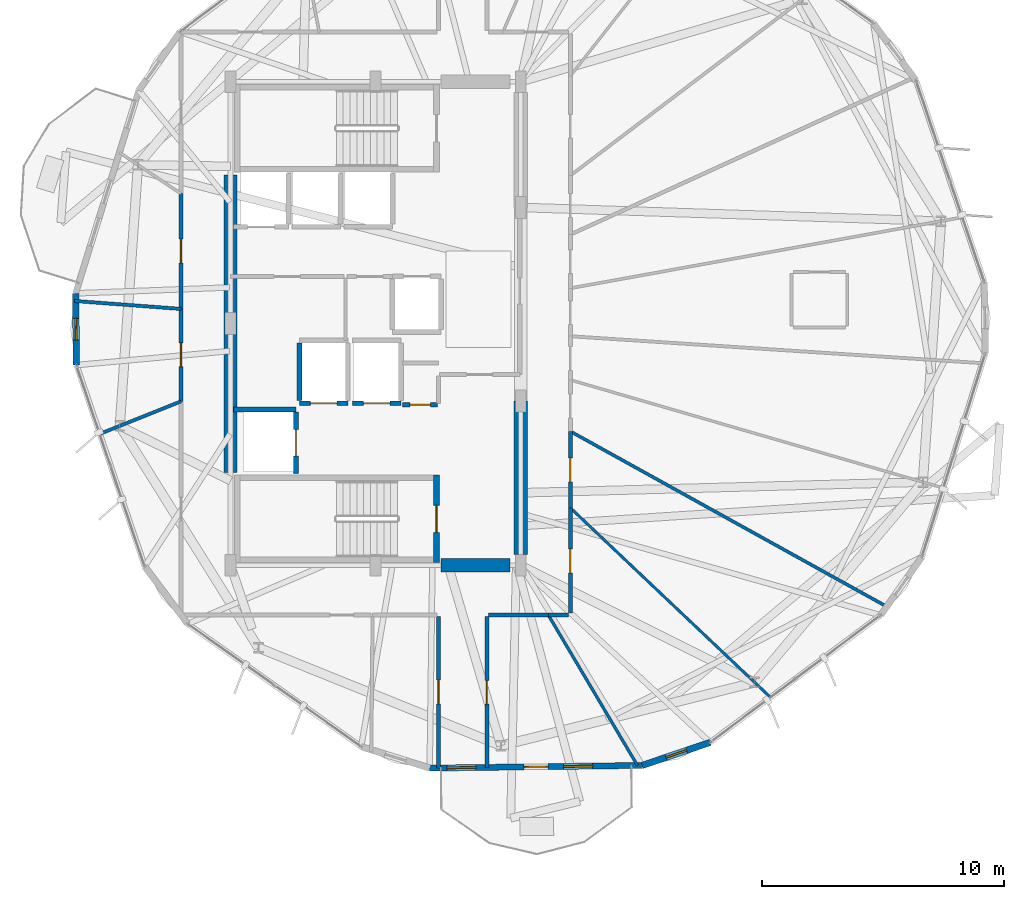
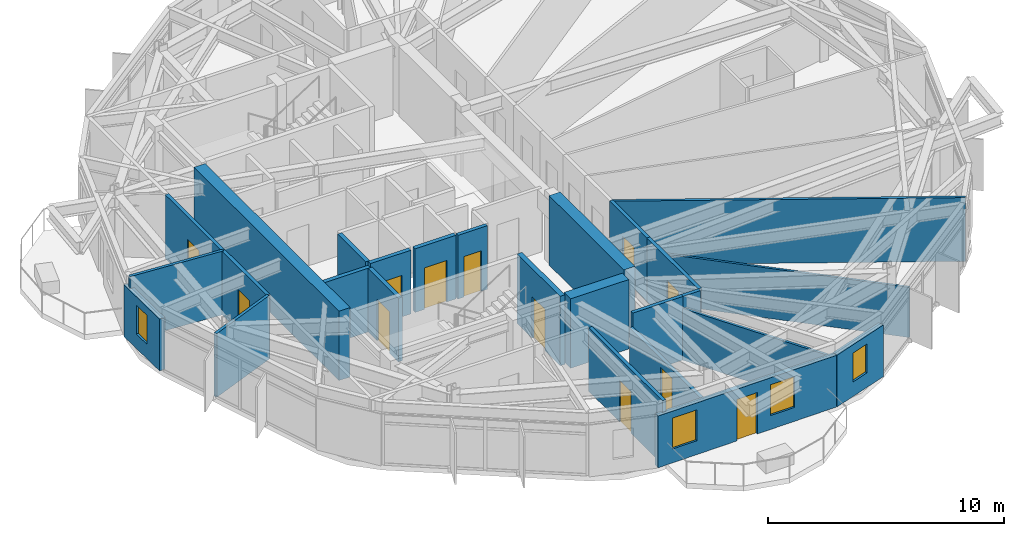
# One storey, part 21 of 27: 26 walls, 12 doors, 4 windows, 16 openings.
"""IFC4 building model written with IfcOpenShell, lengths in metres."""

from ifc_helpers import new_model, si_unit, direction, frame, frame_2d, origin, place, context, subcontext, project, spatial, rectangle, extrude, material, layer, layer_set, type_object, element, fill, save


model = new_model("IFC4")

# Units and contexts
model_context = context("Model", 3, precision=1e-05, world=origin(), true_north=direction((0.0, 1.0)))
body_context = subcontext(model_context, "Body", "Model", "MODEL_VIEW")
ifc_project = project(units=[si_unit("LENGTHUNIT", "METRE"), si_unit("AREAUNIT", "SQUARE_METRE"), si_unit("VOLUMEUNIT", "CUBIC_METRE"), si_unit("PLANEANGLEUNIT", "RADIAN"), si_unit("MASSUNIT", "GRAM", prefix="KILO")], contexts=[model_context])

# Site, building, storey
site_placement = place(None, origin())
site = spatial("IfcSite", under=ifc_project, at=site_placement, CompositionType="ELEMENT")
building_placement = place(site_placement, origin())
building = spatial("IfcBuilding", under=site, at=building_placement, Name="Soratama Intermodal Tower", CompositionType="ELEMENT")
storey_placement = place(building_placement, frame((0.0, 0.0, 167.800048828125)))
storey = spatial("IfcBuildingStorey", under=building, at=storey_placement, Name="L41", CompositionType="ELEMENT", Elevation=167.800048828125)

# Wall, openings, door, windows
ifc_material_1 = material(Name="Concrete f'c 42 MPa", Category="concrete")
ifc_layer_1 = layer(ifc_material_1, 0.25)
ifc_layer_set_1 = layer_set([ifc_layer_1], Name="Concrete f'c 42 MPa")
wall_type_1 = type_object("IfcWallType", Name="EW-BAL-250", PredefinedType="SOLIDWALL", material=ifc_layer_set_1)
wall_1_placement = place(storey_placement, frame((40.834716796875, 6.6171875, 0.0), z_axis=(0.0, 0.0, 1.0), x_axis=(0.999921223342, 0.012551777187, 0.0)))
wall_1 = element("IfcWall", 1, at=wall_1_placement, inside=storey, type_object=wall_type_1, Name="L41 Terrace Wall F07", PredefinedType="SOLIDWALL", context=body_context, shape_type="SweptSolid", body=[
    extrude(rectangle(XDim=8.791748046875, YDim=0.25, at=frame_2d((4.39599609375, 0.0))), origin(), (0.0, 0.0, 1.0), 2.678955078125),
])
opening_1_placement = place(wall_1_placement, frame((3.895751953125, 0.0, 0.0)))
opening_1 = element("IfcOpeningElement", 2, at=opening_1_placement, cuts=wall_1, Name="Opening ED-2", PredefinedType="OPENING", context=body_context, shape_type="SweptSolid", body=[
    extrude(rectangle(XDim=1.0, YDim=2.14990234375, at=frame_2d((0.5, 1.074951171875))), frame((0.0, 0.135009765625, 0.0), z_axis=(0.0, -1.0, 0.0), x_axis=(1.0, 0.0, 0.0)), (0.0, 0.0, 1.0), 0.27001953125),
])
opening_2_placement = place(wall_1_placement, frame((0.709228515625, 0.0, 0.719970703125)))
opening_2 = element("IfcOpeningElement", 3, at=opening_2_placement, cuts=wall_1, Name="Opening WN-2", PredefinedType="OPENING", context=body_context, shape_type="SweptSolid", body=[
    extrude(rectangle(XDim=1.199951171875, YDim=1.60009765625, at=frame_2d((0.60009765625, 0.800048828125))), frame((0.0, 0.135009765625, 0.0), z_axis=(0.0, -1.0, 0.0), x_axis=(1.0, 0.0, 0.0)), (0.0, 0.0, 1.0), 0.27001953125),
])
opening_3_placement = place(wall_1_placement, frame((5.535888671875, 0.0, 0.719970703125)))
opening_3 = element("IfcOpeningElement", 4, at=opening_3_placement, cuts=wall_1, Name="Opening WN-2", PredefinedType="OPENING", context=body_context, shape_type="SweptSolid", body=[
    extrude(rectangle(XDim=1.199951171875, YDim=1.60009765625, at=frame_2d((0.60009765625, 0.800048828125))), frame((0.0, 0.135009765625, 0.0), z_axis=(0.0, -1.0, 0.0), x_axis=(1.0, 0.0, 0.0)), (0.0, 0.0, 1.0), 0.27001953125),
])
ifc_material_2 = material(Name="Double-glazed aluminium door", Category="aluminium")
door_type_1 = type_object("IfcDoorType", Name="DR-BAL-1000", OperationType="NOTDEFINED", PredefinedType="DOOR", material=ifc_material_2)
door_1_placement = place(opening_1_placement, origin())
door_1 = element("IfcDoor", 5, at=door_1_placement, inside=storey, type_object=door_type_1, Name="L41 Balcony Door F07", OperationType="SINGLE_SWING_LEFT", OverallHeight=2.14990234375, OverallWidth=1.0, PredefinedType="DOOR", context=body_context, shape_type="SweptSolid", body=[
    extrude(rectangle(XDim=1.0, YDim=2.14990234375, at=frame_2d((0.5, 1.074951171875))), frame((0.0, 0.02490234375, 0.0), z_axis=(0.0, -1.0, 0.0), x_axis=(1.0, 0.0, 0.0)), (0.0, 0.0, 1.0), 0.050048828125),
])
fill(opening_1, door_1)
ifc_material_3 = material(Name="Double-glazed aluminium window", Category="aluminium")
window_type_1 = type_object("IfcWindowType", Name="WN-FAC-1200", PartitioningType="SINGLE_PANEL", PredefinedType="WINDOW", material=ifc_material_3)
window_1_placement = place(opening_2_placement, origin())
window_1 = element("IfcWindow", 6, at=window_1_placement, inside=storey, type_object=window_type_1, Name="L41 Window A F07", OverallHeight=1.60009765625, OverallWidth=1.199951171875, PartitioningType="SINGLE_PANEL", PredefinedType="WINDOW", context=body_context, shape_type="SweptSolid", body=[
    extrude(rectangle(XDim=1.199951171875, YDim=1.60009765625, at=frame_2d((0.60009765625, 0.800048828125))), frame((0.0, 0.030029296875, 0.0), z_axis=(0.0, -1.0, 0.0), x_axis=(1.0, 0.0, 0.0)), (0.0, 0.0, 1.0), 0.06005859375),
])
fill(opening_2, window_1)
window_2_placement = place(opening_3_placement, origin())
window_2 = element("IfcWindow", 7, at=window_2_placement, inside=storey, type_object=window_type_1, Name="L41 Window B F07", OverallHeight=1.60009765625, OverallWidth=1.199951171875, PartitioningType="SINGLE_PANEL", PredefinedType="WINDOW", context=body_context, shape_type="SweptSolid", body=[
    extrude(rectangle(XDim=1.199951171875, YDim=1.60009765625, at=frame_2d((0.60009765625, 0.800048828125))), frame((0.0, 0.030029296875, 0.0), z_axis=(0.0, -1.0, 0.0), x_axis=(1.0, 0.0, 0.0)), (0.0, 0.0, 1.0), 0.06005859375),
])
fill(opening_3, window_2)

# Wall, opening, window
ifc_material_4 = material(Name="Concrete f'c 42 MPa", Category="concrete")
ifc_layer_2 = layer(ifc_material_4, 0.27001953125)
ifc_layer_set_2 = layer_set([ifc_layer_2], Name="Concrete f'c 42 MPa")
wall_type_2 = type_object("IfcWallType", Name="EW-CRN-270", PredefinedType="SOLIDWALL", material=ifc_layer_set_2)
wall_2_placement = place(storey_placement, frame((26.1923828125, 26.2470703125, 0.0), z_axis=(0.0, 0.0, 1.0), x_axis=(0.012591594286, -0.999920722734, 0.0)))
wall_2 = element("IfcWall", 8, at=wall_2_placement, inside=storey, type_object=wall_type_2, Name="L41 Corner Closure Wall 04", PredefinedType="SOLIDWALL", context=body_context, shape_type="SweptSolid", body=[
    extrude(rectangle(XDim=2.966552734375, YDim=0.27001953125, at=frame_2d((1.4833984375, 0.0))), origin(), (0.0, 0.0, 1.0), 2.678955078125),
])
opening_4_placement = place(wall_2_placement, frame((1.033203125, 0.0, 0.75)))
opening_4 = element("IfcOpeningElement", 9, at=opening_4_placement, cuts=wall_2, Name="Opening WN-6", PredefinedType="OPENING", context=body_context, shape_type="SweptSolid", body=[
    extrude(rectangle(XDim=0.89990234375, YDim=1.5, at=frame_2d((0.449951171875, 0.75))), frame((0.0, 0.14501953125, 0.0), z_axis=(0.0, -1.0, 0.0), x_axis=(1.0, 0.0, 0.0)), (0.0, 0.0, 1.0), 0.2900390625),
])
ifc_material_5 = material(Name="Double-glazed aluminium window", Category="aluminium")
window_type_2 = type_object("IfcWindowType", Name="WN-FAC-900", PartitioningType="SINGLE_PANEL", PredefinedType="WINDOW", material=ifc_material_5)
window_3_placement = place(opening_4_placement, origin())
window_3 = element("IfcWindow", 10, at=window_3_placement, inside=storey, type_object=window_type_2, Name="L41 Corner Window 04", OverallHeight=1.5, OverallWidth=0.89990234375, PartitioningType="SINGLE_PANEL", PredefinedType="WINDOW", context=body_context, shape_type="SweptSolid", body=[
    extrude(rectangle(XDim=0.89990234375, YDim=1.5, at=frame_2d((0.449951171875, 0.75))), frame((0.0, 0.030029296875, 0.0), z_axis=(0.0, -1.0, 0.0), x_axis=(1.0, 0.0, 0.0)), (0.0, 0.0, 1.0), 0.06005859375),
])
fill(opening_4, window_3)

wall_3_placement = place(storey_placement, frame((49.625732421875, 6.7275390625, 0.0), z_axis=(0.0, 0.0, 1.0), x_axis=(0.947099800271, 0.320939197242, 0.0)))
wall_3 = element("IfcWall", 11, at=wall_3_placement, inside=storey, type_object=wall_type_2, Name="L41 Corner Closure Wall 07", PredefinedType="SOLIDWALL", context=body_context, shape_type="SweptSolid", body=[
    extrude(rectangle(XDim=2.966796875, YDim=0.27001953125, at=frame_2d((1.4833984375, 0.0))), origin(), (0.0, 0.0, 1.0), 2.678955078125),
])
opening_5_placement = place(wall_3_placement, frame((1.033203125, 0.0, 0.75)))
opening_5 = element("IfcOpeningElement", 12, at=opening_5_placement, cuts=wall_3, Name="Opening WN-6", PredefinedType="OPENING", context=body_context, shape_type="SweptSolid", body=[
    extrude(rectangle(XDim=0.89990234375, YDim=1.5, at=frame_2d((0.449951171875, 0.75))), frame((0.0, 0.14501953125, 0.0), z_axis=(0.0, -1.0, 0.0), x_axis=(1.0, 0.0, 0.0)), (0.0, 0.0, 1.0), 0.2900390625),
])
window_4_placement = place(opening_5_placement, origin())
window_4 = element("IfcWindow", 13, at=window_4_placement, inside=storey, type_object=window_type_2, Name="L41 Corner Window 07", OverallHeight=1.5, OverallWidth=0.89990234375, PartitioningType="SINGLE_PANEL", PredefinedType="WINDOW", context=body_context, shape_type="SweptSolid", body=[
    extrude(rectangle(XDim=0.89990234375, YDim=1.5, at=frame_2d((0.449951171875, 0.75))), frame((0.0, 0.030029296875, 0.0), z_axis=(0.0, -1.0, 0.0), x_axis=(1.0, 0.0, 0.0)), (0.0, 0.0, 1.0), 0.06005859375),
])
fill(opening_5, window_4)

# Wall, opening, door
ifc_material_6 = material(Name="Fire-rated gypsum stud partition", Category="concrete")
ifc_layer_3 = layer(ifc_material_6, 0.169921875)
ifc_layer_set_3 = layer_set([ifc_layer_3], Name="Fire-rated gypsum stud partition")
wall_type_3 = type_object("IfcWallType", Name="IW-PART-R170", PredefinedType="PARTITIONING", material=ifc_layer_set_3)
wall_4_placement = place(storey_placement, frame((41.199951171875, 6.6220703125, 0.0), z_axis=(0.0, 0.0, 1.0), x_axis=(0.0, 1.0, 0.0)))
wall_4 = element("IfcWall", 14, at=wall_4_placement, inside=storey, type_object=wall_type_3, Name="L41 Partition W-L41-TP015", PredefinedType="PARTITIONING", context=body_context, shape_type="SweptSolid", body=[
    extrude(rectangle(XDim=6.2578125, YDim=0.169921875, at=frame_2d((3.12890625, 0.0))), origin(), (0.0, 0.0, 1.0), 3.300048828125),
])
opening_6_placement = place(wall_4_placement, frame((2.654052734375, 0.0, 0.0)))
opening_6 = element("IfcOpeningElement", 15, at=opening_6_placement, cuts=wall_4, Name="Opening ID-5", PredefinedType="OPENING", context=body_context, shape_type="SweptSolid", body=[
    extrude(rectangle(XDim=0.97998046875, YDim=2.14990234375, at=frame_2d((0.489990234375, 1.074951171875))), frame((0.0, 0.094970703125, 0.0), z_axis=(0.0, -1.0, 0.0), x_axis=(1.0, 0.0, 0.0)), (0.0, 0.0, 1.0), 0.18994140625),
])
ifc_material_7 = material(Name="Solid hardwood acoustic door", Category="wood")
door_type_2 = type_object("IfcDoorType", Name="DR-OFF-980", OperationType="NOTDEFINED", PredefinedType="DOOR", material=ifc_material_7)
door_2_placement = place(opening_6_placement, origin())
door_2 = element("IfcDoor", 16, at=door_2_placement, inside=storey, type_object=door_type_2, Name="L41 Door D-L41-TP005", OperationType="SINGLE_SWING_RIGHT", OverallHeight=2.14990234375, OverallWidth=0.97998046875, PredefinedType="DOOR", context=body_context, shape_type="SweptSolid", body=[
    extrude(rectangle(XDim=0.97998046875, YDim=2.14990234375, at=frame_2d((0.489990234375, 1.074951171875))), frame((0.0, 0.02490234375, 0.0), z_axis=(0.0, -1.0, 0.0), x_axis=(1.0, 0.0, 0.0)), (0.0, 0.0, 1.0), 0.050048828125),
])
fill(opening_6, door_2)

wall_5_placement = place(storey_placement, frame((43.199951171875, 12.8798828125, 0.0), z_axis=(0.0, 0.0, 1.0), x_axis=(0.0, -1.0, 0.0)))
wall_5 = element("IfcWall", 17, at=wall_5_placement, inside=storey, type_object=wall_type_3, Name="L41 Partition W-L41-TP016", PredefinedType="PARTITIONING", context=body_context, shape_type="SweptSolid", body=[
    extrude(rectangle(XDim=6.23291015625, YDim=0.169921875, at=frame_2d((3.116455078125, 0.0))), origin(), (0.0, 0.0, 1.0), 2.594970703125),
])
opening_7_placement = place(wall_5_placement, frame((2.64208984375, 0.0, 0.0)))
opening_7 = element("IfcOpeningElement", 18, at=opening_7_placement, cuts=wall_5, Name="Opening ID-5", PredefinedType="OPENING", context=body_context, shape_type="SweptSolid", body=[
    extrude(rectangle(XDim=0.97998046875, YDim=2.14990234375, at=frame_2d((0.489990234375, 1.074951171875))), frame((0.0, 0.094970703125, 0.0), z_axis=(0.0, -1.0, 0.0), x_axis=(1.0, 0.0, 0.0)), (0.0, 0.0, 1.0), 0.18994140625),
])
door_3_placement = place(opening_7_placement, origin())
door_3 = element("IfcDoor", 19, at=door_3_placement, inside=storey, type_object=door_type_2, Name="L41 Door D-L41-TP006", OperationType="SINGLE_SWING_LEFT", OverallHeight=2.14990234375, OverallWidth=0.97998046875, PredefinedType="DOOR", context=body_context, shape_type="SweptSolid", body=[
    extrude(rectangle(XDim=0.97998046875, YDim=2.14990234375, at=frame_2d((0.489990234375, 1.074951171875))), frame((0.0, 0.02490234375, 0.0), z_axis=(0.0, -1.0, 0.0), x_axis=(1.0, 0.0, 0.0)), (0.0, 0.0, 1.0), 0.050048828125),
])
fill(opening_7, door_3)

wall_6_placement = place(storey_placement, frame((30.550048828125, 25.60302734375, 0.0), z_axis=(0.0, 0.0, 1.0), x_axis=(0.0, 1.0, 0.0)))
wall_6 = element("IfcWall", 20, at=wall_6_placement, inside=storey, type_object=wall_type_3, Name="L41 Partition W-L41-TP022", PredefinedType="PARTITIONING", context=body_context, shape_type="SweptSolid", body=[
    extrude(rectangle(XDim=4.76708984375, YDim=0.169921875, at=frame_2d((2.383544921875, 0.0))), origin(), (0.0, 0.0, 1.0), 3.300048828125),
])
opening_8_placement = place(wall_6_placement, frame((1.907958984375, 0.0, 0.0)))
opening_8 = element("IfcOpeningElement", 21, at=opening_8_placement, cuts=wall_6, Name="Opening ID-5", PredefinedType="OPENING", context=body_context, shape_type="SweptSolid", body=[
    extrude(rectangle(XDim=0.97998046875, YDim=2.14990234375, at=frame_2d((0.489990234375, 1.074951171875))), frame((0.0, 0.094970703125, 0.0), z_axis=(0.0, -1.0, 0.0), x_axis=(1.0, 0.0, 0.0)), (0.0, 0.0, 1.0), 0.18994140625),
])
door_4_placement = place(opening_8_placement, origin())
door_4 = element("IfcDoor", 22, at=door_4_placement, inside=storey, type_object=door_type_2, Name="L41 Door D-L41-TP010", OperationType="SINGLE_SWING_LEFT", OverallHeight=2.14990234375, OverallWidth=0.97998046875, PredefinedType="DOOR", context=body_context, shape_type="SweptSolid", body=[
    extrude(rectangle(XDim=0.97998046875, YDim=2.14990234375, at=frame_2d((0.489990234375, 1.074951171875))), frame((0.0, 0.02490234375, 0.0), z_axis=(0.0, -1.0, 0.0), x_axis=(1.0, 0.0, 0.0)), (0.0, 0.0, 1.0), 0.050048828125),
])
fill(opening_8, door_4)

wall_7_placement = place(storey_placement, frame((46.64990234375, 17.3779296875, 0.0), z_axis=(0.0, 0.0, 1.0), x_axis=(0.0, -1.0, 0.0)))
wall_7 = element("IfcWall", 23, at=wall_7_placement, inside=storey, type_object=wall_type_3, Name="L41 Partition W-L41-TP025", PredefinedType="PARTITIONING", context=body_context, shape_type="SweptSolid", body=[
    extrude(rectangle(XDim=4.35791015625, YDim=0.169921875, at=frame_2d((2.178955078125, 0.0))), origin(), (0.0, 0.0, 1.0), 3.300048828125),
])
opening_9_placement = place(wall_7_placement, frame((1.7041015625, 0.0, 0.0)))
opening_9 = element("IfcOpeningElement", 24, at=opening_9_placement, cuts=wall_7, Name="Opening ID-5", PredefinedType="OPENING", context=body_context, shape_type="SweptSolid", body=[
    extrude(rectangle(XDim=0.97998046875, YDim=2.14990234375, at=frame_2d((0.489990234375, 1.074951171875))), frame((0.0, 0.094970703125, 0.0), z_axis=(0.0, -1.0, 0.0), x_axis=(1.0, 0.0, 0.0)), (0.0, 0.0, 1.0), 0.18994140625),
])
door_5_placement = place(opening_9_placement, origin())
door_5 = element("IfcDoor", 25, at=door_5_placement, inside=storey, type_object=door_type_2, Name="L41 Door D-L41-TP012", OperationType="SINGLE_SWING_LEFT", OverallHeight=2.14990234375, OverallWidth=0.97998046875, PredefinedType="DOOR", context=body_context, shape_type="SweptSolid", body=[
    extrude(rectangle(XDim=0.97998046875, YDim=2.14990234375, at=frame_2d((0.489990234375, 1.074951171875))), frame((0.0, 0.02490234375, 0.0), z_axis=(0.0, -1.0, 0.0), x_axis=(1.0, 0.0, 0.0)), (0.0, 0.0, 1.0), 0.050048828125),
])
fill(opening_9, door_5)

wall_8_placement = place(storey_placement, frame((30.550048828125, 21.778076171875, 0.0), z_axis=(0.0, 0.0, 1.0), x_axis=(0.0, 1.0, 0.0)))
wall_8 = element("IfcWall", 26, at=wall_8_placement, inside=storey, type_object=wall_type_3, Name="L41 Partition W-L41-TP028", PredefinedType="PARTITIONING", context=body_context, shape_type="SweptSolid", body=[
    extrude(rectangle(XDim=3.824951171875, YDim=0.169921875, at=frame_2d((1.91259765625, 0.0))), origin(), (0.0, 0.0, 1.0), 3.300048828125),
])
opening_10_placement = place(wall_8_placement, frame((1.43798828125, 0.0, 0.0)))
opening_10 = element("IfcOpeningElement", 27, at=opening_10_placement, cuts=wall_8, Name="Opening ID-5", PredefinedType="OPENING", context=body_context, shape_type="SweptSolid", body=[
    extrude(rectangle(XDim=0.97998046875, YDim=2.14990234375, at=frame_2d((0.489990234375, 1.074951171875))), frame((0.0, 0.094970703125, 0.0), z_axis=(0.0, -1.0, 0.0), x_axis=(1.0, 0.0, 0.0)), (0.0, 0.0, 1.0), 0.18994140625),
])
door_6_placement = place(opening_10_placement, origin())
door_6 = element("IfcDoor", 28, at=door_6_placement, inside=storey, type_object=door_type_2, Name="L41 Door D-L41-TP014", OperationType="SINGLE_SWING_LEFT", OverallHeight=2.14990234375, OverallWidth=0.97998046875, PredefinedType="DOOR", context=body_context, shape_type="SweptSolid", body=[
    extrude(rectangle(XDim=0.97998046875, YDim=2.14990234375, at=frame_2d((0.489990234375, 1.074951171875))), frame((0.0, 0.02490234375, 0.0), z_axis=(0.0, -1.0, 0.0), x_axis=(1.0, 0.0, 0.0)), (0.0, 0.0, 1.0), 0.050048828125),
])
fill(opening_10, door_6)

wall_9_placement = place(storey_placement, frame((46.64990234375, 20.5419921875, 0.0), z_axis=(0.0, 0.0, 1.0), x_axis=(0.0, -1.0, 0.0)))
wall_9 = element("IfcWall", 29, at=wall_9_placement, inside=storey, type_object=wall_type_3, Name="L41 Partition W-L41-TP031", PredefinedType="PARTITIONING", context=body_context, shape_type="SweptSolid", body=[
    extrude(rectangle(XDim=3.1640625, YDim=0.169921875, at=frame_2d((1.58203125, 0.0))), origin(), (0.0, 0.0, 1.0), 3.300048828125),
])
opening_11_placement = place(wall_9_placement, frame((1.10693359375, 0.0, 0.0)))
opening_11 = element("IfcOpeningElement", 30, at=opening_11_placement, cuts=wall_9, Name="Opening ID-5", PredefinedType="OPENING", context=body_context, shape_type="SweptSolid", body=[
    extrude(rectangle(XDim=0.97998046875, YDim=2.14990234375, at=frame_2d((0.489990234375, 1.074951171875))), frame((0.0, 0.094970703125, 0.0), z_axis=(0.0, -1.0, 0.0), x_axis=(1.0, 0.0, 0.0)), (0.0, 0.0, 1.0), 0.18994140625),
])
door_7_placement = place(opening_11_placement, origin())
door_7 = element("IfcDoor", 31, at=door_7_placement, inside=storey, type_object=door_type_2, Name="L41 Door D-L41-TP016", OperationType="SINGLE_SWING_LEFT", OverallHeight=2.14990234375, OverallWidth=0.97998046875, PredefinedType="DOOR", context=body_context, shape_type="SweptSolid", body=[
    extrude(rectangle(XDim=0.97998046875, YDim=2.14990234375, at=frame_2d((0.489990234375, 1.074951171875))), frame((0.0, 0.02490234375, 0.0), z_axis=(0.0, -1.0, 0.0), x_axis=(1.0, 0.0, 0.0)), (0.0, 0.0, 1.0), 0.050048828125),
])
fill(opening_11, door_7)

# Wall
wall_10_placement = place(storey_placement, frame((45.738037109375, 12.949951171875, 0.0), z_axis=(0.0, 0.0, 1.0), x_axis=(-1.0, 0.0, 0.0)))
element("IfcWall", 32, at=wall_10_placement, inside=storey, type_object=wall_type_3, Name="L41 Partition W-L41-TP036", PredefinedType="PARTITIONING", context=body_context, shape_type="SweptSolid", body=[
    extrude(rectangle(XDim=2.468017578125, YDim=0.169921875, at=frame_2d((1.23388671875, 0.0))), origin(), (0.0, 0.0, 1.0), 3.300048828125),
])

# Wall, opening, door
wall_11_placement = place(storey_placement, frame((39.719970703125, 21.639892578125, 0.0), z_axis=(0.0, 0.0, 1.0), x_axis=(1.0, 0.0, 0.0)))
wall_11 = element("IfcWall", 33, at=wall_11_placement, inside=storey, type_object=wall_type_3, Name="L41 Partition W-L41-TP048", PredefinedType="PARTITIONING", context=body_context, shape_type="SweptSolid", body=[
    extrude(rectangle(XDim=1.43994140625, YDim=0.169921875, at=frame_2d((0.719970703125, 0.0))), origin(), (0.0, 0.0, 1.0), 3.300048828125),
])
opening_12_placement = place(wall_11_placement, frame((0.294921875, 0.0, 0.0)))
opening_12 = element("IfcOpeningElement", 34, at=opening_12_placement, cuts=wall_11, Name="Opening ID-4", PredefinedType="OPENING", context=body_context, shape_type="SweptSolid", body=[
    extrude(rectangle(XDim=0.85009765625, YDim=2.10009765625, at=frame_2d((0.425048828125, 1.050048828125))), frame((0.0, 0.094970703125, 0.0), z_axis=(0.0, -1.0, 0.0), x_axis=(1.0, 0.0, 0.0)), (0.0, 0.0, 1.0), 0.18994140625),
])
ifc_material_8 = material(Name="Solid hardwood acoustic door", Category="wood")
door_type_3 = type_object("IfcDoorType", Name="DR-BATH-850", OperationType="NOTDEFINED", PredefinedType="DOOR", material=ifc_material_8)
door_8_placement = place(opening_12_placement, origin())
door_8 = element("IfcDoor", 35, at=door_8_placement, inside=storey, type_object=door_type_3, Name="L41 Door D-L41-TP025", OperationType="SINGLE_SWING_RIGHT", OverallHeight=2.10009765625, OverallWidth=0.85009765625, PredefinedType="DOOR", context=body_context, shape_type="SweptSolid", body=[
    extrude(rectangle(XDim=0.85009765625, YDim=2.10009765625, at=frame_2d((0.425048828125, 1.050048828125))), frame((0.0, 0.02490234375, 0.0), z_axis=(0.0, -1.0, 0.0), x_axis=(1.0, 0.0, 0.0)), (0.0, 0.0, 1.0), 0.050048828125),
])
fill(opening_12, door_8)

# Walls
wall_12_placement = place(storey_placement, frame((46.580078125, 12.949951171875, 0.0), z_axis=(0.0, 0.0, 1.0), x_axis=(-1.0, 0.0, 0.0)))
element("IfcWall", 36, at=wall_12_placement, inside=storey, type_object=wall_type_3, Name="L41 Partition W-L41-TP050", PredefinedType="PARTITIONING", context=body_context, shape_type="SweptSolid", body=[
    extrude(rectangle(XDim=0.842041015625, YDim=0.169921875, at=frame_2d((0.4208984375, 0.0))), origin(), (0.0, 0.0, 1.0), 3.300048828125),
])
ifc_material_9 = material(Name="Fire-rated gypsum stud partition", Category="concrete")
ifc_layer_4 = layer(ifc_material_9, 0.110107421875)
ifc_layer_set_4 = layer_set([ifc_layer_4], Name="Fire-rated gypsum stud partition")
wall_type_4 = type_object("IfcWallType", Name="IW-PART-S110", PredefinedType="PARTITIONING", material=ifc_layer_set_4)
wall_13_placement = place(storey_placement, frame((46.64990234375, 17.3779296875, 0.0), z_axis=(0.0, 0.0, 1.0), x_axis=(0.726147344165, -0.687539114932, 0.0)))
element("IfcWall", 37, at=wall_13_placement, inside=storey, type_object=wall_type_4, Name="L41 Partition W-L41-TP007", PredefinedType="PARTITIONING", context=body_context, shape_type="SweptSolid", body=[
    extrude(rectangle(XDim=11.4013671875, YDim=0.110107421875, at=frame_2d((5.70068359375, 0.0))), origin(), (0.0, 0.0, 1.0), 2.594970703125),
])
ifc_material_10 = material(Name="Fire-rated gypsum stud partition", Category="concrete")
ifc_layer_5 = layer(ifc_material_10, 0.1201171875)
ifc_layer_set_5 = layer_set([ifc_layer_5], Name="Fire-rated gypsum stud partition")
wall_type_5 = type_object("IfcWallType", Name="IW-PART-S120", PredefinedType="PARTITIONING", material=ifc_layer_set_5)
wall_14_placement = place(storey_placement, frame((45.738037109375, 12.949951171875, 0.0), z_axis=(0.0, 0.0, 1.0), x_axis=(0.50971914419, -0.860340859222, 0.0)))
element("IfcWall", 38, at=wall_14_placement, inside=storey, type_object=wall_type_5, Name="L41 Partition W-L41-TP011", PredefinedType="PARTITIONING", context=body_context, shape_type="SweptSolid", body=[
    extrude(rectangle(XDim=7.2353515625, YDim=0.1201171875, at=frame_2d((3.61767578125, 0.0))), origin(), (0.0, 0.0, 1.0), 2.677978515625),
])
ifc_material_11 = material(Name="Fire-rated gypsum stud partition", Category="concrete")
ifc_layer_6 = layer(ifc_material_11, 0.1298828125)
ifc_layer_set_6 = layer_set([ifc_layer_6], Name="Fire-rated gypsum stud partition")
wall_type_6 = type_object("IfcWallType", Name="IW-PART-S130", PredefinedType="PARTITIONING", material=ifc_layer_set_6)
wall_15_placement = place(storey_placement, frame((46.64990234375, 20.5419921875, 0.0), z_axis=(0.0, 0.0, 1.0), x_axis=(0.87479400399, -0.484495047016, 0.0)))
element("IfcWall", 39, at=wall_15_placement, inside=storey, type_object=wall_type_6, Name="L41 Partition W-L41-TP005", PredefinedType="PARTITIONING", context=body_context, shape_type="SweptSolid", body=[
    extrude(rectangle(XDim=15.030029296875, YDim=0.1298828125, at=frame_2d((7.51513671875, 0.0))), origin(), (0.0, 0.0, 1.0), 3.300048828125),
])
ifc_material_12 = material(Name="Fire-rated gypsum stud partition", Category="concrete")
ifc_layer_7 = layer(ifc_material_12, 0.139892578125)
ifc_layer_set_7 = layer_set([ifc_layer_7], Name="Fire-rated gypsum stud partition")
wall_type_7 = type_object("IfcWallType", Name="IW-PART-S140", PredefinedType="PARTITIONING", material=ifc_layer_set_7)
wall_16_placement = place(storey_placement, frame((30.550048828125, 25.60302734375, 0.0), z_axis=(0.0, 0.0, 1.0), x_axis=(-0.997201886639, 0.074755583628, 0.0)))
element("IfcWall", 40, at=wall_16_placement, inside=storey, type_object=wall_type_7, Name="L41 Partition W-L41-TP024", PredefinedType="PARTITIONING", context=body_context, shape_type="SweptSolid", body=[
    extrude(rectangle(XDim=4.41552734375, YDim=0.139892578125, at=frame_2d((2.207763671875, 0.0))), origin(), (0.0, 0.0, 1.0), 3.300048828125),
])
wall_17_placement = place(storey_placement, frame((30.550048828125, 21.778076171875, 0.0), z_axis=(0.0, 0.0, 1.0), x_axis=(-0.928509296492, -0.371309151958, 0.0)))
element("IfcWall", 41, at=wall_17_placement, inside=storey, type_object=wall_type_7, Name="L41 Partition W-L41-TP029", PredefinedType="PARTITIONING", context=body_context, shape_type="SweptSolid", body=[
    extrude(rectangle(XDim=3.6142578125, YDim=0.139892578125, at=frame_2d((1.80712890625, 0.0))), origin(), (0.0, 0.0, 1.0), 3.300048828125),
])

# Wall, opening, door
ifc_material_13 = material(Name="Concrete f'c 42 MPa", Category="concrete")
ifc_layer_8 = layer(ifc_material_13, 0.199951171875)
ifc_layer_set_8 = layer_set([ifc_layer_8], Name="Concrete f'c 42 MPa")
wall_type_8 = type_object("IfcWallType", Name="IW-SHAFT-200", PredefinedType="SOLIDWALL", material=ifc_layer_set_8)
wall_18_placement = place(storey_placement, frame((35.449951171875, 21.699951171875, 0.0), z_axis=(0.0, 0.0, 1.0), x_axis=(1.0, 0.0, 0.0)))
wall_18 = element("IfcWall", 42, at=wall_18_placement, inside=storey, type_object=wall_type_8, Name="L41 FFL-1 Hoistway Wall S", PredefinedType="SOLIDWALL", context=body_context, shape_type="SweptSolid", body=[
    extrude(rectangle(XDim=2.0, YDim=0.199951171875, at=frame_2d((1.0, 0.0))), origin(), (0.0, 0.0, 1.0), 3.300048828125),
])
opening_13_placement = place(wall_18_placement, frame((0.449951171875, 0.0, 0.0)))
opening_13 = element("IfcOpeningElement", 43, at=opening_13_placement, cuts=wall_18, Name="Opening LD-1", PredefinedType="OPENING", context=body_context, shape_type="SweptSolid", body=[
    extrude(rectangle(XDim=1.10009765625, YDim=2.14990234375, at=frame_2d((0.550048828125, 1.074951171875))), frame((0.0, 0.10986328125, 0.0), z_axis=(0.0, -1.0, 0.0), x_axis=(1.0, 0.0, 0.0)), (0.0, 0.0, 1.0), 0.219970703125),
])
ifc_material_14 = material(Name="Steel fire door", Category="steel")
door_type_4 = type_object("IfcDoorType", Name="DR-LIFT-SLIDE", OperationType="NOTDEFINED", PredefinedType="DOOR", material=ifc_material_14)
door_9_placement = place(opening_13_placement, origin())
door_9 = element("IfcDoor", 44, at=door_9_placement, inside=storey, type_object=door_type_4, Name="L41 FFL-1 Sliding Landing Door", OperationType="SLIDING_TO_LEFT", OverallHeight=2.14990234375, OverallWidth=1.10009765625, PredefinedType="DOOR", context=body_context, shape_type="SweptSolid", body=[
    extrude(rectangle(XDim=1.10009765625, YDim=2.14990234375, at=frame_2d((0.550048828125, 1.074951171875))), frame((0.0, 0.02490234375, 0.0), z_axis=(0.0, -1.0, 0.0), x_axis=(1.0, 0.0, 0.0)), (0.0, 0.0, 1.0), 0.050048828125),
])
fill(opening_13, door_9)

# Wall
wall_19_placement = place(storey_placement, frame((35.449951171875, 21.81005859375, 0.0), z_axis=(0.0, 0.0, 1.0), x_axis=(0.0, 1.0, 0.0)))
element("IfcWall", 45, at=wall_19_placement, inside=storey, type_object=wall_type_8, Name="L41 FFL-1 Hoistway Wall W", PredefinedType="SOLIDWALL", context=body_context, shape_type="SweptSolid", body=[
    extrude(rectangle(XDim=2.3798828125, YDim=0.199951171875, at=frame_2d((1.18994140625, 0.0))), origin(), (0.0, 0.0, 1.0), 3.300048828125),
])

# Wall, opening, door
wall_20_placement = place(storey_placement, frame((37.64990234375, 21.699951171875, 0.0), z_axis=(0.0, 0.0, 1.0), x_axis=(1.0, 0.0, 0.0)))
wall_20 = element("IfcWall", 46, at=wall_20_placement, inside=storey, type_object=wall_type_8, Name="L41 FFL-2 Hoistway Wall S", PredefinedType="SOLIDWALL", context=body_context, shape_type="SweptSolid", body=[
    extrude(rectangle(XDim=2.0, YDim=0.199951171875, at=frame_2d((1.0, 0.0))), origin(), (0.0, 0.0, 1.0), 3.300048828125),
])
opening_14_placement = place(wall_20_placement, frame((0.449951171875, 0.0, 0.0)))
opening_14 = element("IfcOpeningElement", 47, at=opening_14_placement, cuts=wall_20, Name="Opening LD-1", PredefinedType="OPENING", context=body_context, shape_type="SweptSolid", body=[
    extrude(rectangle(XDim=1.10009765625, YDim=2.14990234375, at=frame_2d((0.550048828125, 1.074951171875))), frame((0.0, 0.10986328125, 0.0), z_axis=(0.0, -1.0, 0.0), x_axis=(1.0, 0.0, 0.0)), (0.0, 0.0, 1.0), 0.219970703125),
])
door_10_placement = place(opening_14_placement, origin())
door_10 = element("IfcDoor", 48, at=door_10_placement, inside=storey, type_object=door_type_4, Name="L41 FFL-2 Sliding Landing Door", OperationType="SLIDING_TO_LEFT", OverallHeight=2.14990234375, OverallWidth=1.10009765625, PredefinedType="DOOR", context=body_context, shape_type="SweptSolid", body=[
    extrude(rectangle(XDim=1.10009765625, YDim=2.14990234375, at=frame_2d((0.550048828125, 1.074951171875))), frame((0.0, 0.02490234375, 0.0), z_axis=(0.0, -1.0, 0.0), x_axis=(1.0, 0.0, 0.0)), (0.0, 0.0, 1.0), 0.050048828125),
])
fill(opening_14, door_10)

# Wall
wall_21_placement = place(storey_placement, frame((32.719970703125, 21.449951171875, 0.0), z_axis=(0.0, 0.0, 1.0), x_axis=(1.0, 0.0, 0.0)))
element("IfcWall", 49, at=wall_21_placement, inside=storey, type_object=wall_type_8, Name="L41 SVL-1 Hoistway Wall N", PredefinedType="SOLIDWALL", context=body_context, shape_type="SweptSolid", body=[
    extrude(rectangle(XDim=2.580078125, YDim=0.199951171875, at=frame_2d((1.2900390625, 0.0))), origin(), (0.0, 0.0, 1.0), 3.300048828125),
])

# Wall, opening, door
wall_22_placement = place(storey_placement, frame((35.300048828125, 18.7900390625, 0.0), z_axis=(0.0, 0.0, 1.0), x_axis=(0.0, 1.0, 0.0)))
wall_22 = element("IfcWall", 50, at=wall_22_placement, inside=storey, type_object=wall_type_8, Name="L41 SVL-1 Hoistway Wall E", PredefinedType="SOLIDWALL", context=body_context, shape_type="SweptSolid", body=[
    extrude(rectangle(XDim=2.550048828125, YDim=0.199951171875, at=frame_2d((1.27490234375, 0.0))), origin(), (0.0, 0.0, 1.0), 3.300048828125),
])
opening_15_placement = place(wall_22_placement, frame((0.72509765625, 0.0, 0.0)))
opening_15 = element("IfcOpeningElement", 51, at=opening_15_placement, cuts=wall_22, Name="Opening LD-1", PredefinedType="OPENING", context=body_context, shape_type="SweptSolid", body=[
    extrude(rectangle(XDim=1.10009765625, YDim=2.14990234375, at=frame_2d((0.550048828125, 1.074951171875))), frame((0.0, 0.10986328125, 0.0), z_axis=(0.0, -1.0, 0.0), x_axis=(1.0, 0.0, 0.0)), (0.0, 0.0, 1.0), 0.219970703125),
])
door_11_placement = place(opening_15_placement, origin())
door_11 = element("IfcDoor", 52, at=door_11_placement, inside=storey, type_object=door_type_4, Name="L41 SVL-1 Sliding Landing Door", OperationType="SLIDING_TO_LEFT", OverallHeight=2.14990234375, OverallWidth=1.10009765625, PredefinedType="DOOR", context=body_context, shape_type="SweptSolid", body=[
    extrude(rectangle(XDim=1.10009765625, YDim=2.14990234375, at=frame_2d((0.550048828125, 1.074951171875))), frame((0.0, 0.02490234375, 0.0), z_axis=(0.0, -1.0, 0.0), x_axis=(1.0, 0.0, 0.0)), (0.0, 0.0, 1.0), 0.050048828125),
])
fill(opening_15, door_11)

# Walls
ifc_material_15 = material(Name="Concrete f'c 56 MPa", Category="concrete")
ifc_layer_9 = layer(ifc_material_15, 0.550048828125)
ifc_layer_set_9 = layer_set([ifc_layer_9], Name="Concrete f'c 56 MPa")
wall_type_9 = type_object("IfcWallType", Name="SW-CORE-550", PredefinedType="SHEAR", material=ifc_layer_set_9)
wall_23_placement = place(storey_placement, frame((32.60009765625, 18.85009765625, 0.0), z_axis=(0.0, 0.0, 1.0), x_axis=(0.0, 1.0, 0.0)))
element("IfcWall", 53, at=wall_23_placement, inside=storey, type_object=wall_type_9, Name="L41 Core Shear Wall CW-WMID", PredefinedType="SHEAR", context=body_context, shape_type="SweptSolid", body=[
    extrude(rectangle(XDim=12.2998046875, YDim=0.550048828125, at=frame_2d((6.14990234375, 0.0))), origin(), (0.0, 0.0, 1.0), 3.599853515625),
])
wall_24_placement = place(storey_placement, frame((41.300048828125, 15.0, 0.0), z_axis=(0.0, 0.0, 1.0), x_axis=(1.0, 0.0, 0.0)))
element("IfcWall", 54, at=wall_24_placement, inside=storey, type_object=wall_type_9, Name="L41 Core Shear Wall CW-SE", PredefinedType="SHEAR", context=body_context, shape_type="SweptSolid", body=[
    extrude(rectangle(XDim=2.849853515625, YDim=0.550048828125, at=frame_2d((1.4248046875, 0.0))), origin(), (0.0, 0.0, 1.0), 3.599853515625),
])
wall_25_placement = place(storey_placement, frame((44.60009765625, 15.449951171875, 0.0), z_axis=(0.0, 0.0, 1.0), x_axis=(0.0, 1.0, 0.0)))
element("IfcWall", 55, at=wall_25_placement, inside=storey, type_object=wall_type_9, Name="L41 Core Shear Wall CW-ES", PredefinedType="SHEAR", context=body_context, shape_type="SweptSolid", body=[
    extrude(rectangle(XDim=6.35009765625, YDim=0.550048828125, at=frame_2d((3.175048828125, 0.0))), origin(), (0.0, 0.0, 1.0), 3.599853515625),
])

# Wall, opening, door
ifc_material_16 = material(Name="Concrete f'c 56 MPa", Category="concrete")
ifc_layer_10 = layer(ifc_material_16, 0.239990234375)
ifc_layer_set_10 = layer_set([ifc_layer_10], Name="Concrete f'c 56 MPa")
wall_type_10 = type_object("IfcWallType", Name="SW-STAIR-240", PredefinedType="SHEAR", material=ifc_layer_set_10)
wall_26_placement = place(storey_placement, frame((41.1201171875, 15.110107421875, 0.0), z_axis=(0.0, 0.0, 1.0), x_axis=(0.0, 1.0, 0.0)))
wall_26 = element("IfcWall", 56, at=wall_26_placement, inside=storey, type_object=wall_type_10, Name="L41 ST-1 Shaft Shear Wall E", PredefinedType="SHEAR", context=body_context, shape_type="SweptSolid", body=[
    extrude(rectangle(XDim=3.6298828125, YDim=0.239990234375, at=frame_2d((1.81494140625, 0.0))), origin(), (0.0, 0.0, 1.0), 3.599853515625),
])
opening_16_placement = place(wall_26_placement, frame((1.2548828125, 0.0, 0.0)))
opening_16 = element("IfcOpeningElement", 57, at=opening_16_placement, cuts=wall_26, Name="Opening SD-1", PredefinedType="OPENING", context=body_context, shape_type="SweptSolid", body=[
    extrude(rectangle(XDim=1.1201171875, YDim=2.14990234375, at=frame_2d((0.56005859375, 1.074951171875))), frame((0.0, 0.1298828125, 0.0), z_axis=(0.0, -1.0, 0.0), x_axis=(1.0, 0.0, 0.0)), (0.0, 0.0, 1.0), 0.260009765625),
])
ifc_material_17 = material(Name="Steel fire door", Category="steel")
door_type_5 = type_object("IfcDoorType", Name="DR-STAIR-FD90", OperationType="NOTDEFINED", PredefinedType="DOOR", material=ifc_material_17)
door_12_placement = place(opening_16_placement, origin())
door_12 = element("IfcDoor", 58, at=door_12_placement, inside=storey, type_object=door_type_5, Name="L41 ST-1 Exit Stair Door", OperationType="SINGLE_SWING_LEFT", OverallHeight=2.14990234375, OverallWidth=1.1201171875, PredefinedType="DOOR", context=body_context, shape_type="SweptSolid", body=[
    extrude(rectangle(XDim=1.1201171875, YDim=2.14990234375, at=frame_2d((0.56005859375, 1.074951171875))), frame((0.0, 0.02490234375, 0.0), z_axis=(0.0, -1.0, 0.0), x_axis=(1.0, 0.0, 0.0)), (0.0, 0.0, 1.0), 0.050048828125),
])
fill(opening_16, door_12)

save(model, "model.ifc")
